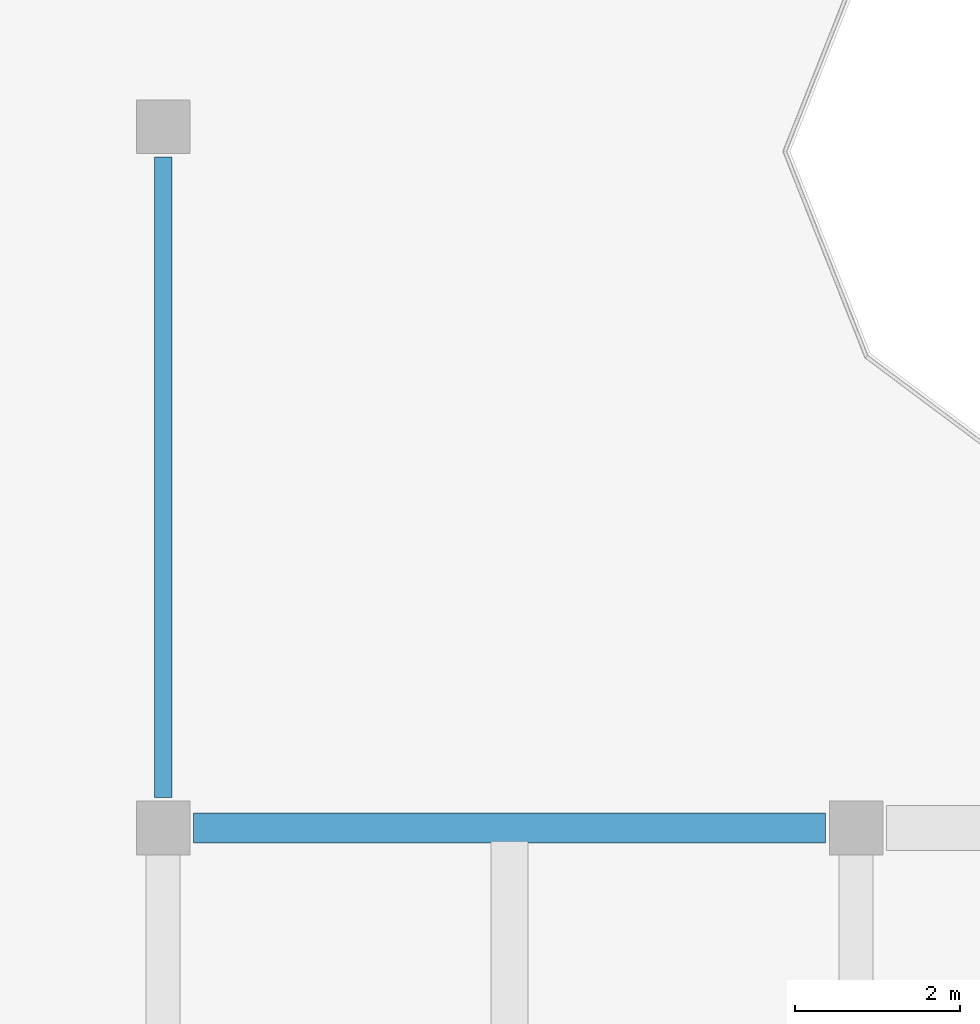
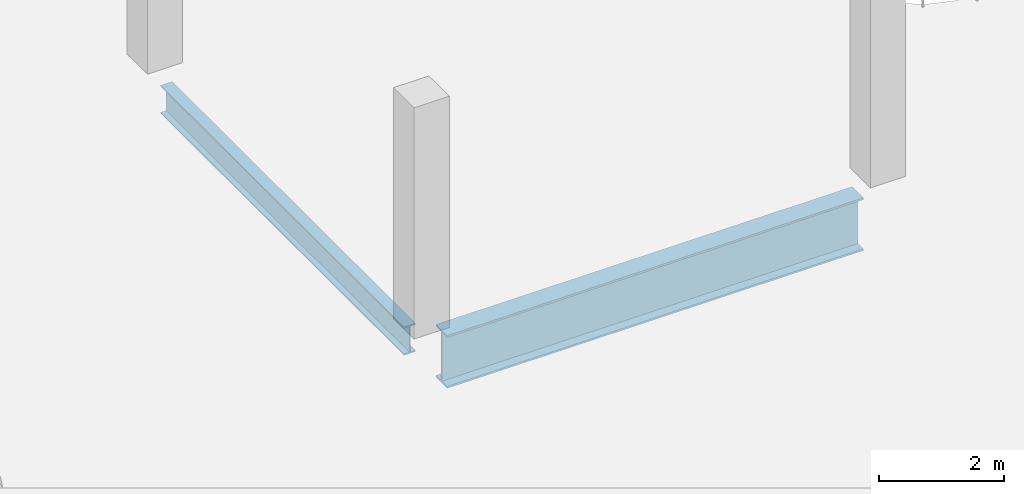
# One storey, part 11 of 50: 2 beams.
"""IFC4 building model written with IfcOpenShell, lengths in metres."""

import ifcopenshell
import ifcopenshell.guid

model = None  # the IFC model being written
_history = None  # IfcOwnerHistory: only IFC2X3 demands one
_inside = {}  # id of a spatial element -> (the spatial element, [elements in it])
_under = {}  # id of a project, library or spatial element -> (it, [spatial elements below it])
_declared = {}  # id of a project -> (the project, [libraries it declares])
_typed = {}  # id of a type object -> (the type object, [elements of that type])
_made_of = {}  # id of a material, layer set ... -> (it, [elements and type objects made of it])


def new_model(schema):
    """Start an empty IFC model of exactly this schema.

    Asked for "IFC4X3", IfcOpenShell would pick the latest addendum, in which some entities
    have other attributes; the version numbers below select the first issue.
    IFC2X3 requires an IfcOwnerHistory on every rooted entity: one is made here for all.
    """
    global model, _history
    if schema == "IFC4X3":
        model = ifcopenshell.file(schema_version=(4, 3, 0, 0))
    else:
        model = ifcopenshell.file(schema=schema)
    _inside.clear()
    _under.clear()
    _declared.clear()
    _typed.clear()
    _made_of.clear()
    _history = None
    if model.schema == "IFC2X3":
        org = make("IfcOrganization", Name="unknown")
        user = make(
            "IfcPersonAndOrganization",
            ThePerson=make("IfcPerson", FamilyName="unknown"),
            TheOrganization=org,
        )
        app = make(
            "IfcApplication",
            ApplicationDeveloper=org,
            Version="unknown",
            ApplicationFullName="unknown",
            ApplicationIdentifier="unknown",
        )
        _history = make(
            "IfcOwnerHistory",
            OwningUser=user,
            OwningApplication=app,
            ChangeAction="ADDED",
            CreationDate=0,
        )
    return model


def make(cls, **values):
    """One entity of the class cls with the attributes given. An attribute that is None is left unset."""
    return model.create_entity(
        cls, **{name: value for name, value in values.items() if value is not None}
    )


def rooted(cls, **values):
    """An entity with a GlobalId (a new one), such as an element, a storey or a relation."""
    return make(cls, GlobalId=ifcopenshell.guid.new(), OwnerHistory=_history, **values)


def si_unit(unit_type, name, prefix=None):
    """IfcSIUnit, for example si_unit("LENGTHUNIT", "METRE", prefix="MILLI")."""
    return make("IfcSIUnit", UnitType=unit_type, Prefix=prefix, Name=name)


def assignment(units):
    """IfcUnitAssignment: the units of a project."""
    return None if units is None else make("IfcUnitAssignment", Units=units)


def point(xyz):
    """IfcCartesianPoint."""
    return None if xyz is None else make("IfcCartesianPoint", Coordinates=xyz)


def direction(xyz):
    """IfcDirection."""
    return None if xyz is None else make("IfcDirection", DirectionRatios=xyz)


def frame(location, z_axis=None, x_axis=None):
    """IfcAxis2Placement3D, a coordinate frame: its origin and axes. An axis left out is left unset."""
    return make(
        "IfcAxis2Placement3D",
        Location=point(location),
        Axis=direction(z_axis),
        RefDirection=direction(x_axis),
    )


def frame_2d(location, x_axis=None):
    """IfcAxis2Placement2D, a coordinate frame in the plane: its origin and x axis."""
    return make(
        "IfcAxis2Placement2D", Location=point(location), RefDirection=direction(x_axis)
    )


def origin():
    """The frame at (0, 0, 0) with its axes left unset."""
    return frame((0.0, 0.0, 0.0))


def origin_2d():
    """The frame at (0, 0) in the plane with its x axis left unset."""
    return frame_2d((0.0, 0.0))


def place(relative_to, where):
    """IfcLocalPlacement: puts the frame where relative to a parent placement (None: the world)."""
    return make(
        "IfcLocalPlacement", PlacementRelTo=relative_to, RelativePlacement=where
    )


def context(
    kind, dimensions, precision=None, world=None, true_north=None, identifier=None
):
    """IfcGeometricRepresentationContext, for example the 3D "Model" context."""
    return make(
        "IfcGeometricRepresentationContext",
        ContextIdentifier=identifier,
        ContextType=kind,
        CoordinateSpaceDimension=dimensions,
        Precision=precision,
        WorldCoordinateSystem=world,
        TrueNorth=true_north,
    )


def subcontext(parent, identifier, kind, view, scale=None):
    """IfcGeometricRepresentationSubContext, for example "Body" below "Model"."""
    return make(
        "IfcGeometricRepresentationSubContext",
        ContextIdentifier=identifier,
        ContextType=kind,
        ParentContext=parent,
        TargetScale=scale,
        TargetView=view,
    )


def project(units=None, contexts=None):
    """IfcProject with its units and contexts."""
    return rooted(
        "IfcProject",
        Name="project",
        RepresentationContexts=contexts,
        UnitsInContext=assignment(units),
    )


def spatial(cls, under=None, at=None, **own):
    """A site, building, storey or space (cls), placed at a placement, below another one or the project."""
    s = rooted(cls, ObjectPlacement=at, **own)
    if under is not None:
        _under.setdefault(under.id(), (under, []))[1].append(s)
    return s


def profile(cls, at=None, kind="AREA", **sizes):
    """A parametric profile (cls). Its sizes go by their IFC names, for example OverallWidth=200.0."""
    return make(cls, ProfileType=kind, Position=at, **sizes)


def i_section(**sizes):
    """IfcIShapeProfileDef."""
    return profile("IfcIShapeProfileDef", **sizes)


def extrude(swept, where, along, depth):
    """IfcExtrudedAreaSolid: the profile swept, set in the frame where, extruded along a direction by depth."""
    return make(
        "IfcExtrudedAreaSolid",
        SweptArea=swept,
        Position=where,
        ExtrudedDirection=direction(along),
        Depth=depth,
    )


def shape(context_of_items, identifier, shape_type, items):
    """IfcShapeRepresentation: the items that make up one representation, for example the "Body"."""
    return make(
        "IfcShapeRepresentation",
        ContextOfItems=context_of_items,
        RepresentationIdentifier=identifier,
        RepresentationType=shape_type,
        Items=items,
    )


def material(Name=None, Category=None):
    """IfcMaterial."""
    return make("IfcMaterial", Name=Name, Category=Category)


def material_profile(
    of_material, cross_section, Name=None, Category=None, Priority=None
):
    """IfcMaterialProfile: a cross section and its material."""
    return make(
        "IfcMaterialProfile",
        Name=Name,
        Material=of_material,
        Profile=cross_section,
        Priority=Priority,
        Category=Category,
    )


def profile_set(profiles, Name=None, composite=None):
    """IfcMaterialProfileSet."""
    return make(
        "IfcMaterialProfileSet",
        Name=Name,
        MaterialProfiles=profiles,
        CompositeProfile=composite,
    )


def made_of(thing, what):
    """Note that an element or type object is made of a material, layer set ...; save() writes the relation."""
    if what is not None:
        _made_of.setdefault(what.id(), (what, []))[1].append(thing)
    return thing


def type_object(cls, material=None, **own):
    """A type object (cls), such as IfcWallType, which elements share."""
    return made_of(rooted(cls, **own), material)


def element(
    cls,
    number,
    at=None,
    inside=None,
    cuts=None,
    type_object=None,
    material=None,
    context=None,
    identifier="Body",
    shape_type=None,
    held_by="IfcProductDefinitionShape",
    body=None,
    shapes=None,
    **own,
):
    """One element of the class cls, such as IfcWall. Its Tag is "e" and its number.

    at: its placement. inside: the storey or other place that contains it. cuts: it is an
    opening in that element (IfcRelVoidsElement). A single representation is given by context,
    identifier, shape_type and body (its items); several are given by shapes. held_by: the class
    of the entity that holds the representations. save() writes the other relations.
    """
    e = rooted(cls, Tag="e%d" % number, ObjectPlacement=at, **own)
    if body is not None:
        shapes = [shape(context, identifier, shape_type, body)]
    if shapes is not None:
        e.Representation = make(held_by, Representations=shapes)
    if inside is not None:
        _inside.setdefault(inside.id(), (inside, []))[1].append(e)
    if cuts is not None:
        rooted(
            "IfcRelVoidsElement", RelatingBuildingElement=cuts, RelatedOpeningElement=e
        )
    if type_object is not None:
        _typed.setdefault(type_object.id(), (type_object, []))[1].append(e)
    return made_of(e, material)


def aggregate(whole, parts):
    """IfcRelAggregates: a whole, such as a stair, and the parts it consists of."""
    return rooted("IfcRelAggregates", RelatingObject=whole, RelatedObjects=parts)


def save(model, path):
    """Write the relations noted so far, then the file.

    IfcRelAggregates (storeys below a building ...), IfcRelContainedInSpatialStructure (elements
    in a storey), IfcRelDefinesByType, IfcRelAssociatesMaterial and IfcRelDeclares: one each for
    every whole, place, type object, material and project.
    """
    for whole, parts in _under.values():
        aggregate(whole, parts)
    for where, things in _inside.values():
        rooted(
            "IfcRelContainedInSpatialStructure",
            RelatedElements=things,
            RelatingStructure=where,
        )
    for kind, things in _typed.values():
        rooted("IfcRelDefinesByType", RelatedObjects=things, RelatingType=kind)
    for what, things in _made_of.values():
        rooted("IfcRelAssociatesMaterial", RelatedObjects=things, RelatingMaterial=what)
    for by, libraries in _declared.values():
        rooted("IfcRelDeclares", RelatingContext=by, RelatedDefinitions=libraries)
    model.write(path)


model = new_model("IFC4")

# Units and contexts
model_context = context("Model", 3, precision=1e-05, world=origin(), true_north=direction((0.0, 1.0)))
body_context = subcontext(model_context, "Body", "Model", "MODEL_VIEW")
ifc_project = project(units=[si_unit("LENGTHUNIT", "METRE"), si_unit("AREAUNIT", "SQUARE_METRE"), si_unit("VOLUMEUNIT", "CUBIC_METRE"), si_unit("PLANEANGLEUNIT", "RADIAN"), si_unit("MASSUNIT", "GRAM", prefix="KILO")], contexts=[model_context])

# Site, building, storey
site_placement = place(None, origin())
site = spatial("IfcSite", under=ifc_project, at=site_placement, CompositionType="ELEMENT")
building_placement = place(site_placement, origin())
building = spatial("IfcBuilding", under=site, at=building_placement, Name="Solvento Point Concert Hall", CompositionType="ELEMENT")
storey_placement = place(building_placement, frame((0.0, 0.0, 15.0)))
storey = spatial("IfcBuildingStorey", under=building, at=storey_placement, Name="L03", CompositionType="ELEMENT", Elevation=15.0)

# Beams
ifc_material_1 = material(Name="Structural Steel ASTM A992 Grade 50", Category="steel")
ifc_material_profile_1 = material_profile(ifc_material_1, i_section(OverallWidth=0.214111328125, OverallDepth=0.549072265625, WebThickness=0.0146484375, FlangeThickness=0.023681640625, at=origin_2d()), Name="W21X93")
ifc_profile_set_1 = profile_set([ifc_material_profile_1], Name="Structural Steel ASTM A992 Grade 50")
beam_type_1 = type_object("IfcBeamType", Name="Beam_W21X93", PredefinedType="BEAM", material=ifc_profile_set_1)
beam_1_placement = place(storey_placement, frame((40.800048828125, 34.368896484375, -0.53857421875), z_axis=(0.0, 1.0, 0.0), x_axis=(-1.0, 0.0, 0.0)))
element("IfcBeam", 1, at=beam_1_placement, inside=storey, type_object=beam_type_1, Name="Primary girder B-48 L03", PredefinedType="BEAM", context=body_context, shape_type="SweptSolid", body=[
    extrude(i_section(OverallWidth=0.214111328125, OverallDepth=0.549072265625, WebThickness=0.0146484375, FlangeThickness=0.023681640625, at=origin_2d()), origin(), (0.0, 0.0, 1.0), 7.76220703125),
])
ifc_material_2 = material(Name="Structural Steel ASTM A992 Grade 50", Category="steel")
ifc_material_profile_2 = material_profile(ifc_material_2, i_section(OverallWidth=0.361083984375, OverallDepth=1.02587890625, WebThickness=0.01904296875, FlangeThickness=0.0361328125, at=origin_2d()), Name="W40X249")
ifc_profile_set_2 = profile_set([ifc_material_profile_2], Name="Structural Steel ASTM A992 Grade 50")
beam_type_2 = type_object("IfcBeamType", Name="Girder_W40X249", PredefinedType="USERDEFINED", material=ifc_profile_set_2)
beam_2_placement = place(storey_placement, frame((41.1689453125, 34.0, -0.777099609375), z_axis=(1.0, 0.0, 0.0), x_axis=(0.0, 1.0, 0.0)))
element("IfcBeam", 2, at=beam_2_placement, inside=storey, type_object=beam_type_2, Name="Primary girder B-29 L03", ObjectType="GIRDER", PredefinedType="USERDEFINED", context=body_context, shape_type="SweptSolid", body=[
    extrude(i_section(OverallWidth=0.361083984375, OverallDepth=1.02587890625, WebThickness=0.01904296875, FlangeThickness=0.0361328125, at=origin_2d()), origin(), (0.0, 0.0, 1.0), 7.662109375),
])

save(model, "model.ifc")
